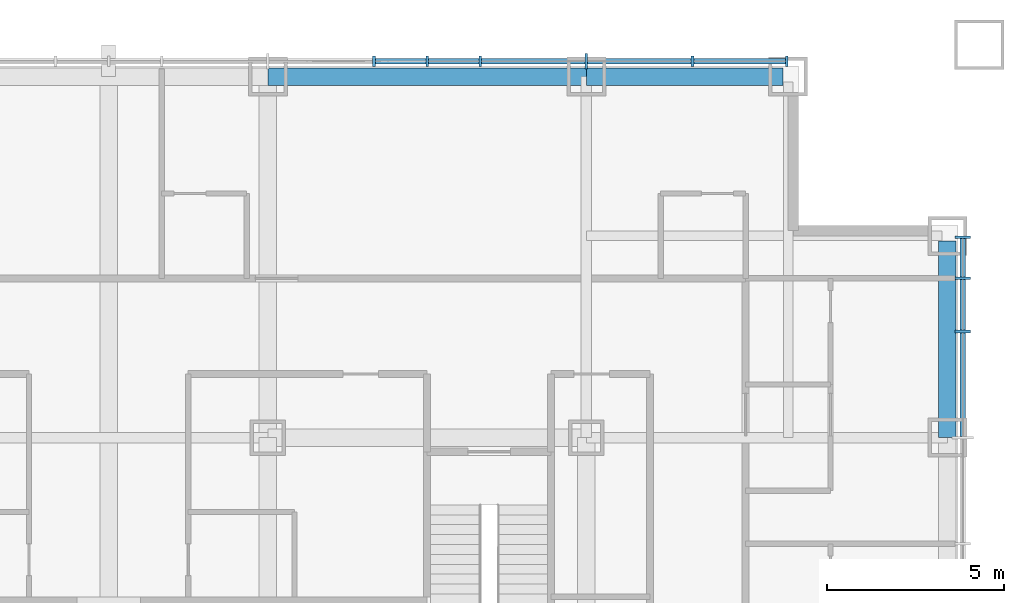
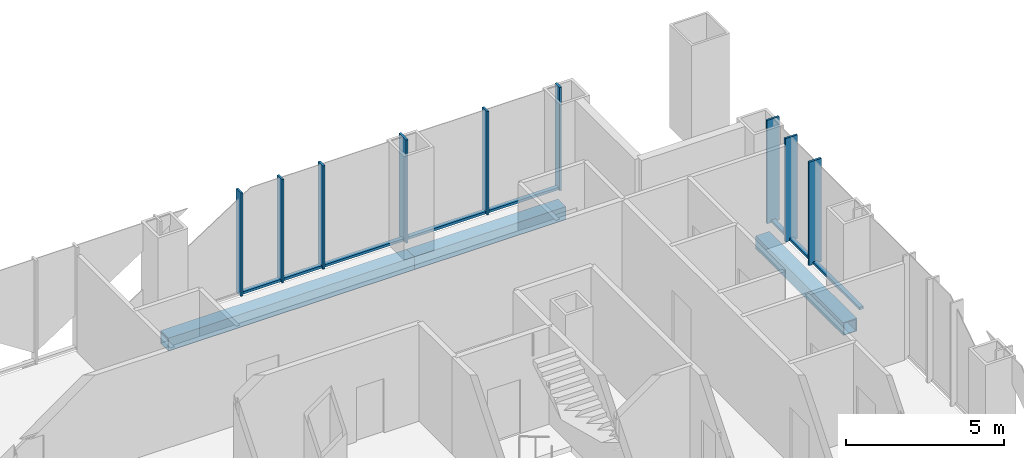
# One storey, part 6 of 13: 17 members, 3 beams, 2 elements without a shape of their own.
"""IFC4 building model written with IfcOpenShell, lengths in metres."""

from ifc_helpers import new_model, si_unit, direction, frame, origin, origin_2d, place, context, subcontext, project, spatial, rectangle, hollow_rectangle, extrude, material, layer, layer_set, material_profile, profile_set, type_object, element, aggregate, save


model = new_model("IFC4")

# Units and contexts
model_context = context("Model", 3, precision=1e-05, world=origin(), true_north=direction((0.0, 1.0)))
body_context = subcontext(model_context, "Body", "Model", "MODEL_VIEW")
ifc_project = project(units=[si_unit("LENGTHUNIT", "METRE"), si_unit("AREAUNIT", "SQUARE_METRE"), si_unit("VOLUMEUNIT", "CUBIC_METRE"), si_unit("PLANEANGLEUNIT", "RADIAN"), si_unit("MASSUNIT", "GRAM", prefix="KILO")], contexts=[model_context])

# Site, building, storey
site_placement = place(None, origin())
site = spatial("IfcSite", under=ifc_project, at=site_placement, CompositionType="ELEMENT")
building_placement = place(site_placement, origin())
building = spatial("IfcBuilding", under=site, at=building_placement, Name="Malebo Sky Hospital", CompositionType="ELEMENT")
storey_placement = place(building_placement, frame((0.0, 0.0, 156.0)))
storey = spatial("IfcBuildingStorey", under=building, at=storey_placement, Name="L37", CompositionType="ELEMENT", Elevation=156.0)

# Curtain wall, members
ifc_material_1 = material(Name="Anodised aluminium, natural silver", Category="aluminium")
ifc_layer_1 = layer(ifc_material_1, 0.25)
ifc_layer_set_1 = layer_set([ifc_layer_1], Name="WARD CURTAIN WALL NORTH AND SOUTH")
curtain_wall_type_1 = type_object("IfcCurtainWallType", Name="WARD CURTAIN WALL NORTH AND SOUTH", PredefinedType="NOTDEFINED", material=ifc_layer_set_1)
curtain_wall_1_placement = place(storey_placement, origin())
curtain_wall_1 = element("IfcCurtainWall", 1, at=curtain_wall_1_placement, inside=storey, type_object=curtain_wall_type_1, Name="NS curtain wall N", PredefinedType="NOTDEFINED")
ifc_material_profile_1 = material_profile(ifc_material_1, rectangle(XDim=0.14990234375, YDim=0.10009765625, at=origin_2d()), Name="ALUMINIUM TRANSOM 150x100")
ifc_profile_set_1 = profile_set([ifc_material_profile_1], Name="Anodised aluminium, natural silver")
member_type_1 = type_object("IfcMemberType", Name="ALUMINIUM TRANSOM 150x100", PredefinedType="USERDEFINED", material=ifc_profile_set_1)
member_1_placement = place(storey_placement, frame((67.53759765625, 86.135009765625, 0.050048828125), z_axis=(1.0, 0.0, 0.0), x_axis=(0.0, 1.0, 0.0)))
member_1 = element("IfcMember", 2, at=member_1_placement, type_object=member_type_1, Name="Transom 13", ObjectType="TRANSOM", PredefinedType="USERDEFINED", context=body_context, shape_type="SweptSolid", body=[
    extrude(rectangle(XDim=0.14990234375, YDim=0.10009765625, at=origin_2d()), origin(), (0.0, 0.0, 1.0), 1.4248046875),
])
member_2_placement = place(storey_placement, frame((69.03759765625, 86.135009765625, 0.050048828125), z_axis=(1.0, 0.0, 0.0), x_axis=(0.0, 1.0, 0.0)))
member_2 = element("IfcMember", 3, at=member_2_placement, type_object=member_type_1, Name="Transom 14", ObjectType="TRANSOM", PredefinedType="USERDEFINED", context=body_context, shape_type="SweptSolid", body=[
    extrude(rectangle(XDim=0.14990234375, YDim=0.10009765625, at=origin_2d()), origin(), (0.0, 0.0, 1.0), 1.4248046875),
])
member_3_placement = place(storey_placement, frame((70.53759765625, 86.135009765625, 0.050048828125), z_axis=(1.0, 0.0, 0.0), x_axis=(0.0, 1.0, 0.0)))
member_3 = element("IfcMember", 4, at=member_3_placement, type_object=member_type_1, Name="Transom 15", ObjectType="TRANSOM", PredefinedType="USERDEFINED", context=body_context, shape_type="SweptSolid", body=[
    extrude(rectangle(XDim=0.14990234375, YDim=0.10009765625, at=origin_2d()), origin(), (0.0, 0.0, 1.0), 2.9248046875),
])
member_4_placement = place(storey_placement, frame((73.53759765625, 86.135009765625, 0.050048828125), z_axis=(1.0, 0.0, 0.0), x_axis=(0.0, 1.0, 0.0)))
member_4 = element("IfcMember", 5, at=member_4_placement, type_object=member_type_1, Name="Transom 16", ObjectType="TRANSOM", PredefinedType="USERDEFINED", context=body_context, shape_type="SweptSolid", body=[
    extrude(rectangle(XDim=0.14990234375, YDim=0.10009765625, at=origin_2d()), origin(), (0.0, 0.0, 1.0), 2.9248046875),
])
member_5_placement = place(storey_placement, frame((76.53759765625, 86.135009765625, 0.050048828125), z_axis=(1.0, 0.0, 0.0), x_axis=(0.0, 1.0, 0.0)))
member_5 = element("IfcMember", 6, at=member_5_placement, type_object=member_type_1, Name="Transom 17", ObjectType="TRANSOM", PredefinedType="USERDEFINED", context=body_context, shape_type="SweptSolid", body=[
    extrude(rectangle(XDim=0.14990234375, YDim=0.10009765625, at=origin_2d()), origin(), (0.0, 0.0, 1.0), 2.58740234375),
])

ifc_layer_2 = layer(ifc_material_1, 0.25)
ifc_layer_set_2 = layer_set([ifc_layer_2], Name="WARD CURTAIN WALL EAST AND WEST")
curtain_wall_type_2 = type_object("IfcCurtainWallType", Name="WARD CURTAIN WALL EAST AND WEST", PredefinedType="NOTDEFINED", material=ifc_layer_set_2)
curtain_wall_2_placement = place(storey_placement, origin())
curtain_wall_2 = element("IfcCurtainWall", 7, at=curtain_wall_2_placement, inside=storey, type_object=curtain_wall_type_2, Name="EW curtain wall E", PredefinedType="NOTDEFINED")
member_6_placement = place(storey_placement, frame((84.135009765625, 81.125, 0.050048828125), z_axis=(0.0, -1.0, 0.0), x_axis=(1.0, 0.0, 0.0)))
member_6 = element("IfcMember", 8, at=member_6_placement, type_object=member_type_1, Name="Transom 1", ObjectType="TRANSOM", PredefinedType="USERDEFINED", context=body_context, shape_type="SweptSolid", body=[
    extrude(rectangle(XDim=0.14990234375, YDim=0.10009765625, at=origin_2d()), origin(), (0.0, 0.0, 1.0), 1.08740234375),
])
member_7_placement = place(storey_placement, frame((84.135009765625, 79.96240234375, 0.050048828125), z_axis=(0.0, -1.0, 0.0), x_axis=(1.0, 0.0, 0.0)))
member_7 = element("IfcMember", 9, at=member_7_placement, type_object=member_type_1, Name="Transom 2", ObjectType="TRANSOM", PredefinedType="USERDEFINED", context=body_context, shape_type="SweptSolid", body=[
    extrude(rectangle(XDim=0.14990234375, YDim=0.10009765625, at=origin_2d()), origin(), (0.0, 0.0, 1.0), 1.4248046875),
])
member_8_placement = place(storey_placement, frame((84.135009765625, 78.46240234375, 0.050048828125), z_axis=(0.0, -1.0, 0.0), x_axis=(1.0, 0.0, 0.0)))
member_8 = element("IfcMember", 10, at=member_8_placement, type_object=member_type_1, Name="Transom 3", ObjectType="TRANSOM", PredefinedType="USERDEFINED", context=body_context, shape_type="SweptSolid", body=[
    extrude(rectangle(XDim=0.14990234375, YDim=0.10009765625, at=origin_2d()), origin(), (0.0, 0.0, 1.0), 2.9248046875),
])

# Member
ifc_material_profile_2 = material_profile(ifc_material_1, rectangle(XDim=0.074951171875, YDim=0.300048828125, at=origin_2d()), Name="CW1 ALUMINIUM FIN MULLION 75x300")
ifc_profile_set_2 = profile_set([ifc_material_profile_2], Name="Anodised aluminium, natural silver")
member_type_2 = type_object("IfcMemberType", Name="CW1 ALUMINIUM FIN MULLION 75x300", PredefinedType="MULLION", material=ifc_profile_set_2)
member_9_placement = place(storey_placement, frame((67.5, 86.135009765625, 0.0), z_axis=(0.0, 0.0, 1.0), x_axis=(1.0, 0.0, 0.0)))
member_9 = element("IfcMember", 11, at=member_9_placement, type_object=member_type_2, Name="Fin mullion 13", PredefinedType="MULLION", context=body_context, shape_type="SweptSolid", body=[
    extrude(rectangle(XDim=0.074951171875, YDim=0.300048828125, at=origin_2d()), origin(), (0.0, 0.0, 1.0), 4.0),
])

member_10_placement = place(storey_placement, frame((69.0, 86.135009765625, 0.0), z_axis=(0.0, 0.0, 1.0), x_axis=(1.0, 0.0, 0.0)))
member_10 = element("IfcMember", 12, at=member_10_placement, type_object=member_type_2, Name="Fin mullion 14", PredefinedType="MULLION", context=body_context, shape_type="SweptSolid", body=[
    extrude(rectangle(XDim=0.074951171875, YDim=0.300048828125, at=origin_2d()), origin(), (0.0, 0.0, 1.0), 4.0),
])

member_11_placement = place(storey_placement, frame((70.5, 86.135009765625, 0.0), z_axis=(0.0, 0.0, 1.0), x_axis=(1.0, 0.0, 0.0)))
member_11 = element("IfcMember", 13, at=member_11_placement, type_object=member_type_2, Name="Fin mullion 15", PredefinedType="MULLION", context=body_context, shape_type="SweptSolid", body=[
    extrude(rectangle(XDim=0.074951171875, YDim=0.300048828125, at=origin_2d()), origin(), (0.0, 0.0, 1.0), 4.0),
])

member_12_placement = place(storey_placement, frame((76.5, 86.135009765625, 0.0), z_axis=(0.0, 0.0, 1.0), x_axis=(1.0, 0.0, 0.0)))
member_12 = element("IfcMember", 14, at=member_12_placement, type_object=member_type_2, Name="Fin mullion 17", PredefinedType="MULLION", context=body_context, shape_type="SweptSolid", body=[
    extrude(rectangle(XDim=0.074951171875, YDim=0.300048828125, at=origin_2d()), origin(), (0.0, 0.0, 1.0), 4.0),
])

member_13_placement = place(storey_placement, frame((79.16259765625, 86.135009765625, 0.0), z_axis=(0.0, 0.0, 1.0), x_axis=(1.0, 0.0, 0.0)))
member_13 = element("IfcMember", 15, at=member_13_placement, type_object=member_type_2, Name="Fin mullion 18", PredefinedType="MULLION", context=body_context, shape_type="SweptSolid", body=[
    extrude(rectangle(XDim=0.074951171875, YDim=0.300048828125, at=origin_2d()), origin(), (0.0, 0.0, 1.0), 4.0),
])

ifc_material_profile_3 = material_profile(ifc_material_1, rectangle(XDim=0.074951171875, YDim=0.449951171875, at=origin_2d()), Name="CW1 ALUMINIUM FIN MULLION 75x450")
ifc_profile_set_3 = profile_set([ifc_material_profile_3], Name="Anodised aluminium, natural silver")
member_type_3 = type_object("IfcMemberType", Name="CW1 ALUMINIUM FIN MULLION 75x450", PredefinedType="MULLION", material=ifc_profile_set_3)
member_14_placement = place(storey_placement, frame((73.5, 86.135009765625, 0.0), z_axis=(0.0, 0.0, 1.0), x_axis=(1.0, 0.0, 0.0)))
member_14 = element("IfcMember", 16, at=member_14_placement, type_object=member_type_3, Name="Fin mullion 16", PredefinedType="MULLION", context=body_context, shape_type="SweptSolid", body=[
    extrude(rectangle(XDim=0.074951171875, YDim=0.449951171875, at=origin_2d()), origin(), (0.0, 0.0, 1.0), 4.0),
])

aggregate(curtain_wall_1, [member_9, member_10, member_11, member_14, member_12, member_13, member_1, member_2, member_3, member_4, member_5])

ifc_material_profile_4 = material_profile(ifc_material_1, rectangle(XDim=0.074951171875, YDim=0.449951171875, at=origin_2d()), Name="CW2 ALUMINIUM FIN MULLION 75x450")
ifc_profile_set_4 = profile_set([ifc_material_profile_4], Name="Anodised aluminium, natural silver")
member_type_4 = type_object("IfcMemberType", Name="CW2 ALUMINIUM FIN MULLION 75x450", PredefinedType="MULLION", material=ifc_profile_set_4)
member_15_placement = place(storey_placement, frame((84.135009765625, 81.16259765625, 0.0), z_axis=(0.0, 0.0, 1.0), x_axis=(0.0, -1.0, 0.0)))
member_15 = element("IfcMember", 17, at=member_15_placement, type_object=member_type_4, Name="Fin mullion 1", PredefinedType="MULLION", context=body_context, shape_type="SweptSolid", body=[
    extrude(rectangle(XDim=0.074951171875, YDim=0.449951171875, at=origin_2d()), origin(), (0.0, 0.0, 1.0), 4.0),
])

member_16_placement = place(storey_placement, frame((84.135009765625, 80.0, 0.0), z_axis=(0.0, 0.0, 1.0), x_axis=(0.0, -1.0, 0.0)))
member_16 = element("IfcMember", 18, at=member_16_placement, type_object=member_type_4, Name="Fin mullion 2", PredefinedType="MULLION", context=body_context, shape_type="SweptSolid", body=[
    extrude(rectangle(XDim=0.074951171875, YDim=0.449951171875, at=origin_2d()), origin(), (0.0, 0.0, 1.0), 4.0),
])

member_17_placement = place(storey_placement, frame((84.135009765625, 78.5, 0.0), z_axis=(0.0, 0.0, 1.0), x_axis=(0.0, -1.0, 0.0)))
member_17 = element("IfcMember", 19, at=member_17_placement, type_object=member_type_4, Name="Fin mullion 3", PredefinedType="MULLION", context=body_context, shape_type="SweptSolid", body=[
    extrude(rectangle(XDim=0.074951171875, YDim=0.449951171875, at=origin_2d()), origin(), (0.0, 0.0, 1.0), 4.0),
])

aggregate(curtain_wall_2, [member_15, member_16, member_17, member_6, member_7, member_8])

# Beams
ifc_material_2 = material(Name="Steel S460", Category="steel")
ifc_material_profile_5 = material_profile(ifc_material_2, hollow_rectangle(XDim=0.5, YDim=0.5, WallThickness=0.030029296875, at=origin_2d()), Name="BOX 500x500x30")
ifc_profile_set_5 = profile_set([ifc_material_profile_5], Name="Steel S460")
beam_type = type_object("IfcBeamType", Name="EDGE BEAM BOX 500x500x30", PredefinedType="BEAM", material=ifc_profile_set_5)
beam_1_placement = place(storey_placement, frame((83.699951171875, 75.5, -0.5), z_axis=(0.0, 1.0, 0.0), x_axis=(-1.0, 0.0, 0.0)))
element("IfcBeam", 20, at=beam_1_placement, inside=storey, type_object=beam_type, Name="Beam 033 L37", PredefinedType="BEAM", context=body_context, shape_type="SweptSolid", body=[
    extrude(hollow_rectangle(XDim=0.5, YDim=0.5, WallThickness=0.030029296875, at=origin_2d()), origin(), (0.0, 0.0, 1.0), 5.550048828125),
])
beam_2_placement = place(storey_placement, frame((64.5, 85.699951171875, -0.5), z_axis=(1.0, 0.0, 0.0), x_axis=(0.0, 1.0, 0.0)))
element("IfcBeam", 21, at=beam_2_placement, inside=storey, type_object=beam_type, Name="Beam 066 L37", PredefinedType="BEAM", context=body_context, shape_type="SweptSolid", body=[
    extrude(hollow_rectangle(XDim=0.5, YDim=0.5, WallThickness=0.030029296875, at=origin_2d()), origin(), (0.0, 0.0, 1.0), 9.0),
])
beam_3_placement = place(storey_placement, frame((73.5, 85.699951171875, -0.5), z_axis=(1.0, 0.0, 0.0), x_axis=(0.0, 1.0, 0.0)))
element("IfcBeam", 22, at=beam_3_placement, inside=storey, type_object=beam_type, Name="Beam 067 L37", PredefinedType="BEAM", context=body_context, shape_type="SweptSolid", body=[
    extrude(hollow_rectangle(XDim=0.5, YDim=0.5, WallThickness=0.030029296875, at=origin_2d()), origin(), (0.0, 0.0, 1.0), 5.550048828125),
])

save(model, "model.ifc")
